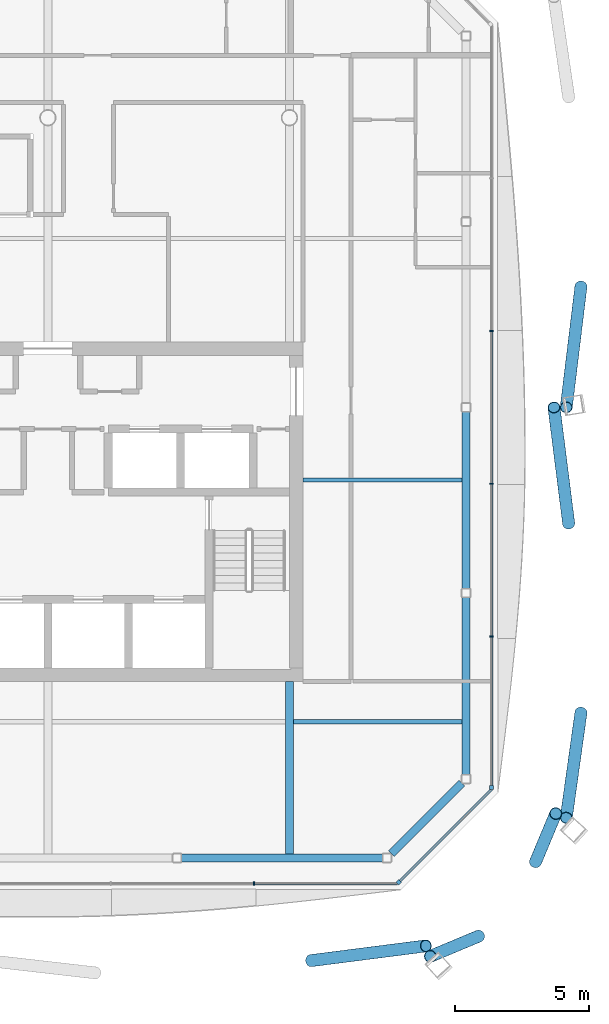
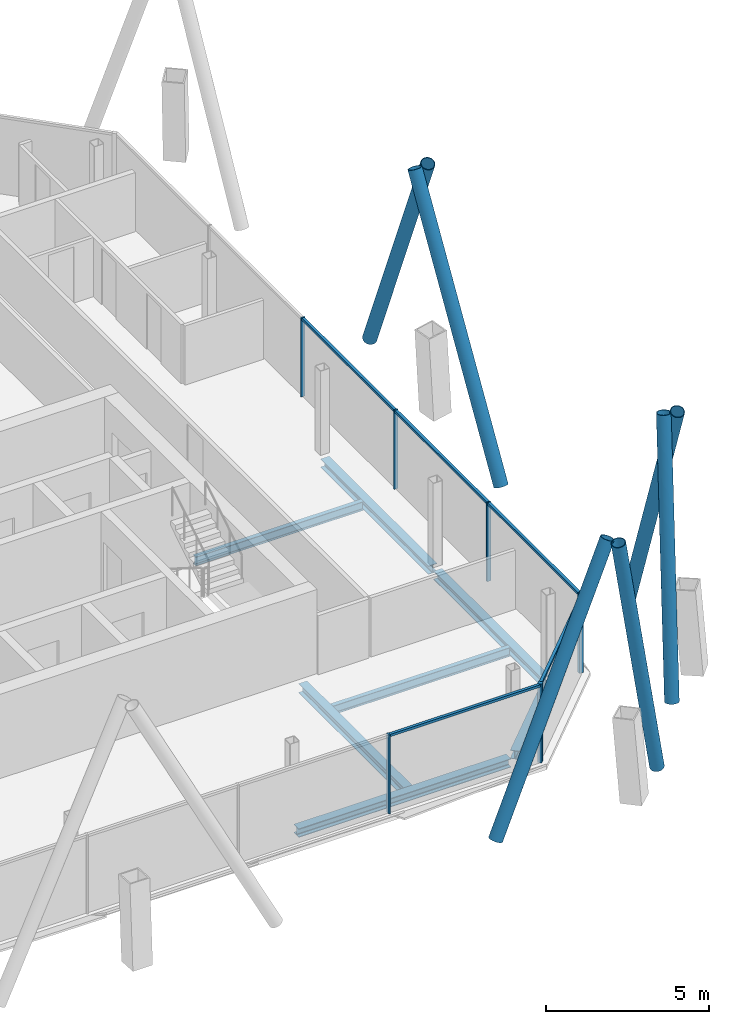
# One storey, part 8 of 20: 17 members, 7 beams, 3 elements without a shape of their own.
"""IFC4 building model written with IfcOpenShell, lengths in metres."""

from ifc_helpers import new_model, si_unit, direction, frame, origin, origin_2d, place, context, subcontext, project, spatial, rectangle, hollow_circle, i_section, extrude, material, material_profile, profile_set, type_object, element, aggregate, save


model = new_model("IFC4")

# Units and contexts
model_context = context("Model", 3, precision=1e-05, world=origin(), true_north=direction((0.0, 1.0)))
body_context = subcontext(model_context, "Body", "Model", "MODEL_VIEW")
ifc_project = project(units=[si_unit("LENGTHUNIT", "METRE"), si_unit("AREAUNIT", "SQUARE_METRE"), si_unit("VOLUMEUNIT", "CUBIC_METRE"), si_unit("PLANEANGLEUNIT", "RADIAN"), si_unit("MASSUNIT", "GRAM", prefix="KILO")], contexts=[model_context])

# Site, building, storey
site_placement = place(None, origin())
site = spatial("IfcSite", under=ifc_project, at=site_placement, CompositionType="ELEMENT")
building_placement = place(site_placement, origin())
building = spatial("IfcBuilding", under=site, at=building_placement, Name="Tskaro Facet Tower", CompositionType="ELEMENT")
storey_placement = place(building_placement, frame((0.0, 0.0, 200.550048828125)))
storey = spatial("IfcBuildingStorey", under=building, at=storey_placement, Name="L51", CompositionType="ELEMENT", Elevation=200.550048828125)

# Members
ifc_material_1 = material(Name="Steel S355J2H", Category="steel")
ifc_material_profile_1 = material_profile(ifc_material_1, hollow_circle(Radius=0.228515625, WallThickness=0.02001953125, at=origin_2d()), Name="CHS 457x20")
ifc_profile_set_1 = profile_set([ifc_material_profile_1], Name="Steel S355J2H")
member_type_1 = type_object("IfcMemberType", Name="CHS 457x20 brace", PredefinedType="BRACE", material=ifc_profile_set_1)
member_1_placement = place(storey_placement, frame((9.81298828125, -22.404296875, 0.0), z_axis=(0.411275595577, 0.05275536964, 0.909983107237), x_axis=(-0.127230108752, 0.991873227498, 0.0)))
element("IfcMember", 1, at=member_1_placement, inside=storey, type_object=member_type_1, Name="CHS 457x20 XB02A/4", PredefinedType="BRACE", context=body_context, shape_type="SweptSolid", body=[
    extrude(hollow_circle(Radius=0.228515625, WallThickness=0.02001953125, at=origin_2d()), origin(), (0.0, 0.0, 1.0), 10.384765625),
])
for number, where, z_axis, x_axis, name in (
    (2, (18.17333984375, -18.720458984375, 0.0), (0.077730756553, 0.186356452478, 0.979402471972), (-0.922932265608, 0.384962378812, 0.0), "CHS 457x20 XB03A/4"),
    (3, (16.04345703125, -21.49658203125, 0.0), (-0.186332028065, -0.07773112306, 0.97940708994), (0.385006906593, -0.922913691455, 0.0), "CHS 457x20 XB03B/4"),
):
    element("IfcMember", number, at=place(storey_placement, frame(where, z_axis=z_axis, x_axis=x_axis)), inside=storey, type_object=member_type_1, Name=name, PredefinedType="BRACE", context=body_context, shape_type="SweptSolid", body=[
        extrude(hollow_circle(Radius=0.228515625, WallThickness=0.02001953125, at=origin_2d()), origin(), (0.0, 0.0, 1.0), 9.648681640625),
    ])
member_2_placement = place(storey_placement, frame((19.404296875, -6.115966796875, 0.0), z_axis=(-0.052646398454, 0.41542325197, 0.908103451404), x_axis=(-0.99206526087, -0.125723976133, 0.0)))
element("IfcMember", 4, at=member_2_placement, inside=storey, type_object=member_type_1, Name="CHS 457x20 XB04A/4", PredefinedType="BRACE", context=body_context, shape_type="SweptSolid", body=[
    extrude(hollow_circle(Radius=0.228515625, WallThickness=0.02001953125, at=origin_2d()), origin(), (0.0, 0.0, 1.0), 10.40625),
])
member_3_placement = place(storey_placement, frame((19.861328125, -13.17138671875, 0.0), z_axis=(-0.053487730814, -0.381993927816, 0.92261568476), x_axis=(0.990338691799, -0.138669663322, 0.0)))
element("IfcMember", 5, at=member_3_placement, inside=storey, type_object=member_type_1, Name="CHS 457x20 XB04B/4", PredefinedType="BRACE", context=body_context, shape_type="SweptSolid", body=[
    extrude(hollow_circle(Radius=0.228515625, WallThickness=0.02001953125, at=origin_2d()), origin(), (0.0, 0.0, 1.0), 10.24267578125),
])
member_4_placement = place(storey_placement, frame((19.861328125, 2.709228515625, 0.0), z_axis=(-0.052266134333, -0.429518619981, 0.90154423424), x_axis=(0.992677554553, -0.12079434046, 0.0)))
element("IfcMember", 6, at=member_4_placement, inside=storey, type_object=member_type_1, Name="CHS 457x20 XB05B/4", PredefinedType="BRACE", context=body_context, shape_type="SweptSolid", body=[
    extrude(hollow_circle(Radius=0.228515625, WallThickness=0.02001953125, at=origin_2d()), origin(), (0.0, 0.0, 1.0), 10.48193359375),
])

# Curtain wall, member
ifc_material_2 = material(Name="Bronze anodised aluminium 6063-T6", Category="aluminium")
curtain_wall_type = type_object("IfcCurtainWallType", Name="Bronze residence curtain wall (FW3)", PredefinedType="NOTDEFINED", material=ifc_material_2)
curtain_wall_1_placement = place(storey_placement, origin())
curtain_wall_1 = element("IfcCurtainWall", 7, at=curtain_wall_1_placement, inside=storey, type_object=curtain_wall_type, Name="FW3 south-east facet L51", PredefinedType="NOTDEFINED")
ifc_material_profile_2 = material_profile(ifc_material_2, rectangle(XDim=0.139892578125, YDim=0.139892578125, at=origin_2d()), Name="Corner post 140x140")
ifc_profile_set_2 = profile_set([ifc_material_profile_2], Name="Bronze anodised aluminium 6063-T6")
member_type_2 = type_object("IfcMemberType", Name="FW3 bronze corner post 140x140", PredefinedType="MULLION", material=ifc_profile_set_2)
member_5_placement = place(storey_placement, frame((13.075439453125, -19.4833984375, 0.0), z_axis=(0.0, 0.0, 1.0), x_axis=(0.707106781187, 0.707106781187, 0.0)))
member_5 = element("IfcMember", 8, at=member_5_placement, type_object=member_type_2, Name="FW3 south-east corner post", PredefinedType="MULLION", context=body_context, shape_type="SweptSolid", body=[
    extrude(rectangle(XDim=0.139892578125, YDim=0.139892578125, at=origin_2d()), origin(), (0.0, 0.0, 1.0), 2.949951171875),
])

curtain_wall_2_placement = place(storey_placement, origin())
curtain_wall_2 = element("IfcCurtainWall", 9, at=curtain_wall_2_placement, inside=storey, type_object=curtain_wall_type, Name="FW3 east facet L51", PredefinedType="NOTDEFINED")
member_6_placement = place(storey_placement, frame((16.532958984375, -15.9560546875, 0.0), z_axis=(0.0, 0.0, 1.0), x_axis=(0.0, 1.0, 0.0)))
member_6 = element("IfcMember", 10, at=member_6_placement, type_object=member_type_2, Name="FW3 east corner post", PredefinedType="MULLION", context=body_context, shape_type="SweptSolid", body=[
    extrude(rectangle(XDim=0.139892578125, YDim=0.139892578125, at=origin_2d()), origin(), (0.0, 0.0, 1.0), 2.949951171875),
])

curtain_wall_3_placement = place(storey_placement, origin())
curtain_wall_3 = element("IfcCurtainWall", 11, at=curtain_wall_3_placement, inside=storey, type_object=curtain_wall_type, Name="FW3 south facet L51", PredefinedType="NOTDEFINED")
ifc_material_profile_3 = material_profile(ifc_material_2, rectangle(XDim=0.050048828125, YDim=0.139892578125, at=origin_2d()), Name="Mullion 50x140")
ifc_profile_set_3 = profile_set([ifc_material_profile_3], Name="Bronze anodised aluminium 6063-T6")
member_type_3 = type_object("IfcMemberType", Name="FW3 bronze mullion 50x140", PredefinedType="MULLION", material=ifc_profile_set_3)
member_7_placement = place(storey_placement, frame((7.68408203125, -19.532958984375, 0.0), z_axis=(0.0, 0.0, 1.0), x_axis=(1.0, 0.0, 0.0)))
member_7 = element("IfcMember", 12, at=member_7_placement, type_object=member_type_3, Name="FW3 south mullion 5", PredefinedType="MULLION", context=body_context, shape_type="SweptSolid", body=[
    extrude(rectangle(XDim=0.050048828125, YDim=0.139892578125, at=origin_2d()), origin(), (0.0, 0.0, 1.0), 2.949951171875),
])

# Member
member_8_placement = place(storey_placement, frame((16.532958984375, -10.3330078125, 0.0), z_axis=(0.0, 0.0, 1.0), x_axis=(0.0, 1.0, 0.0)))
member_8 = element("IfcMember", 13, at=member_8_placement, type_object=member_type_3, Name="FW3 east mullion 1", PredefinedType="MULLION", context=body_context, shape_type="SweptSolid", body=[
    extrude(rectangle(XDim=0.050048828125, YDim=0.139892578125, at=origin_2d()), origin(), (0.0, 0.0, 1.0), 2.949951171875),
])

member_9_placement = place(storey_placement, frame((16.532958984375, -4.639892578125, 0.0), z_axis=(0.0, 0.0, 1.0), x_axis=(0.0, 1.0, 0.0)))
member_9 = element("IfcMember", 14, at=member_9_placement, type_object=member_type_3, Name="FW3 east mullion 2", PredefinedType="MULLION", context=body_context, shape_type="SweptSolid", body=[
    extrude(rectangle(XDim=0.050048828125, YDim=0.139892578125, at=origin_2d()), origin(), (0.0, 0.0, 1.0), 2.949951171875),
])

member_10_placement = place(storey_placement, frame((16.532958984375, 1.052978515625, 0.0), z_axis=(0.0, 0.0, 1.0), x_axis=(0.0, 1.0, 0.0)))
member_10 = element("IfcMember", 15, at=member_10_placement, type_object=member_type_3, Name="FW3 east mullion 3", PredefinedType="MULLION", context=body_context, shape_type="SweptSolid", body=[
    extrude(rectangle(XDim=0.050048828125, YDim=0.139892578125, at=origin_2d()), origin(), (0.0, 0.0, 1.0), 2.949951171875),
])

ifc_material_profile_4 = material_profile(ifc_material_2, rectangle(XDim=0.10009765625, YDim=0.090087890625, at=origin_2d()), Name="Transom 100x90")
ifc_profile_set_4 = profile_set([ifc_material_profile_4], Name="Bronze anodised aluminium 6063-T6")
member_type_4 = type_object("IfcMemberType", Name="FW3 bronze transom 100x90", PredefinedType="USERDEFINED", material=ifc_profile_set_4)
member_11_placement = place(storey_placement, frame((7.708984375, -19.532958984375, 2.905029296875), z_axis=(1.0, 0.0, 0.0), x_axis=(0.0, 1.0, 0.0)))
member_11 = element("IfcMember", 16, at=member_11_placement, type_object=member_type_4, Name="FW3 south transom 6.1", ObjectType="TRANSOM", PredefinedType="USERDEFINED", context=body_context, shape_type="SweptSolid", body=[
    extrude(rectangle(XDim=0.10009765625, YDim=0.090087890625, at=origin_2d()), origin(), (0.0, 0.0, 1.0), 5.31689453125),
])

aggregate(curtain_wall_3, [member_7, member_11])

member_12_placement = place(storey_placement, frame((13.125, -19.43408203125, 2.905029296875), z_axis=(0.707081453652, 0.707132107814, 0.0), x_axis=(-0.707132107814, 0.707081453652, 0.0)))
member_12 = element("IfcMember", 17, at=member_12_placement, type_object=member_type_4, Name="FW3 south-east transom 1.1", ObjectType="TRANSOM", PredefinedType="USERDEFINED", context=body_context, shape_type="SweptSolid", body=[
    extrude(rectangle(XDim=0.10009765625, YDim=0.090087890625, at=origin_2d()), origin(), (0.0, 0.0, 1.0), 4.81982421875),
])

aggregate(curtain_wall_1, [member_5, member_12])

member_13_placement = place(storey_placement, frame((16.532958984375, -15.885986328125, 2.905029296875), z_axis=(0.0, 1.0, 0.0), x_axis=(-1.0, 0.0, 0.0)))
member_13 = element("IfcMember", 18, at=member_13_placement, type_object=member_type_4, Name="FW3 east transom 1.1", ObjectType="TRANSOM", PredefinedType="USERDEFINED", context=body_context, shape_type="SweptSolid", body=[
    extrude(rectangle(XDim=0.10009765625, YDim=0.090087890625, at=origin_2d()), origin(), (0.0, 0.0, 1.0), 5.528076171875),
])

member_14_placement = place(storey_placement, frame((16.532958984375, -10.30810546875, 2.905029296875), z_axis=(0.0, 1.0, 0.0), x_axis=(-1.0, 0.0, 0.0)))
member_14 = element("IfcMember", 19, at=member_14_placement, type_object=member_type_4, Name="FW3 east transom 2.1", ObjectType="TRANSOM", PredefinedType="USERDEFINED", context=body_context, shape_type="SweptSolid", body=[
    extrude(rectangle(XDim=0.10009765625, YDim=0.090087890625, at=origin_2d()), origin(), (0.0, 0.0, 1.0), 5.64306640625),
])

member_15_placement = place(storey_placement, frame((16.532958984375, -4.614990234375, 2.905029296875), z_axis=(0.0, 1.0, 0.0), x_axis=(-1.0, 0.0, 0.0)))
member_15 = element("IfcMember", 20, at=member_15_placement, type_object=member_type_4, Name="FW3 east transom 3.1", ObjectType="TRANSOM", PredefinedType="USERDEFINED", context=body_context, shape_type="SweptSolid", body=[
    extrude(rectangle(XDim=0.10009765625, YDim=0.090087890625, at=origin_2d()), origin(), (0.0, 0.0, 1.0), 5.64306640625),
])

aggregate(curtain_wall_2, [member_6, member_8, member_9, member_10, member_13, member_14, member_15])

# Beams
ifc_material_3 = material(Name="Steel S355J2", Category="steel")
ifc_material_profile_5 = material_profile(ifc_material_3, i_section(OverallWidth=0.300048828125, OverallDepth=0.320068359375, WebThickness=0.011474609375, FlangeThickness=0.0205078125, FilletRadius=0.027099609375, at=origin_2d()), Name="HE 320 B")
ifc_profile_set_5 = profile_set([ifc_material_profile_5], Name="Steel S355J2")
beam_type_1 = type_object("IfcBeamType", Name="HE 320 B ring beam", PredefinedType="BEAM", material=ifc_profile_set_5)
beam_1_placement = place(storey_placement, frame((4.971923828125, -18.5830078125, -0.300048828125), z_axis=(1.0, 0.0, 0.0), x_axis=(0.0, 1.0, 0.0)))
element("IfcBeam", 21, at=beam_1_placement, inside=storey, type_object=beam_type_1, Name="HE 320 B EB4-4", PredefinedType="BEAM", context=body_context, shape_type="SweptSolid", body=[
    extrude(i_section(OverallWidth=0.300048828125, OverallDepth=0.320068359375, WebThickness=0.011474609375, FlangeThickness=0.0205078125, FilletRadius=0.027099609375, at=origin_2d()), origin(), (0.0, 0.0, 1.0), 7.506103515625),
])
beam_2_placement = place(storey_placement, frame((12.7939453125, -18.422119140625, -0.300048828125), z_axis=(0.707106781187, 0.707106781187, 0.0), x_axis=(-0.707106781187, 0.707106781187, 0.0)))
element("IfcBeam", 22, at=beam_2_placement, inside=storey, type_object=beam_type_1, Name="HE 320 B EB5-4", PredefinedType="BEAM", context=body_context, shape_type="SweptSolid", body=[
    extrude(i_section(OverallWidth=0.300048828125, OverallDepth=0.320068359375, WebThickness=0.011474609375, FlangeThickness=0.0205078125, FilletRadius=0.027099609375, at=origin_2d()), origin(), (0.0, 0.0, 1.0), 3.716796875),
])
for number, where, z_axis, x_axis, name in (
    (23, (15.5830078125, -15.47802734375, -0.300048828125), (0.0, 1.0, 0.0), (-1.0, 0.0, 0.0), "HE 320 B EB6-4"),
    (24, (15.5830078125, -8.55810546875, -0.300048828125), (0.0, 1.0, 0.0), (-1.0, 0.0, 0.0), "HE 320 B EB7-4"),
):
    element("IfcBeam", number, at=place(storey_placement, frame(where, z_axis=z_axis, x_axis=x_axis)), inside=storey, type_object=beam_type_1, Name=name, PredefinedType="BEAM", context=body_context, shape_type="SweptSolid", body=[
        extrude(i_section(OverallWidth=0.300048828125, OverallDepth=0.320068359375, WebThickness=0.011474609375, FlangeThickness=0.0205078125, FilletRadius=0.027099609375, at=origin_2d()), origin(), (0.0, 0.0, 1.0), 6.610107421875),
    ])
ifc_material_profile_6 = material_profile(ifc_material_3, i_section(OverallWidth=0.300048828125, OverallDepth=0.35009765625, WebThickness=0.010009765625, FlangeThickness=0.017578125, FilletRadius=0.027099609375, at=origin_2d()), Name="HE 360 A")
ifc_profile_set_6 = profile_set([ifc_material_profile_6], Name="Steel S355J2")
beam_type_2 = type_object("IfcBeamType", Name="HE 360 A girder", PredefinedType="BEAM", material=ifc_profile_set_6)
beam_3_placement = place(storey_placement, frame((9.0, -18.43310546875, -0.31494140625), z_axis=(0.0, 1.0, 0.0), x_axis=(-1.0, 0.0, 0.0)))
element("IfcBeam", 25, at=beam_3_placement, inside=storey, type_object=beam_type_2, Name="HE 360 A GB5-1-4", PredefinedType="BEAM", context=body_context, shape_type="SweptSolid", body=[
    extrude(i_section(OverallWidth=0.300048828125, OverallDepth=0.35009765625, WebThickness=0.010009765625, FlangeThickness=0.017578125, FilletRadius=0.027099609375, at=origin_2d()), origin(), (0.0, 0.0, 1.0), 6.43310546875),
])
ifc_material_profile_7 = material_profile(ifc_material_3, i_section(OverallWidth=0.159912109375, OverallDepth=0.330078125, WebThickness=0.007568359375, FlangeThickness=0.011474609375, FilletRadius=0.01806640625, at=origin_2d()), Name="IPE 330")
ifc_profile_set_7 = profile_set([ifc_material_profile_7], Name="Steel S355J2")
beam_type_3 = type_object("IfcBeamType", Name="IPE 330 secondary beam", PredefinedType="BEAM", material=ifc_profile_set_7)
beam_4_placement = place(storey_placement, frame((9.14990234375, -13.5, -0.304931640625), z_axis=(1.0, 0.0, 0.0), x_axis=(0.0, 1.0, 0.0)))
element("IfcBeam", 26, at=beam_4_placement, inside=storey, type_object=beam_type_3, Name="IPE 330 SB2a-5-4", PredefinedType="BEAM", context=body_context, shape_type="SweptSolid", body=[
    extrude(i_section(OverallWidth=0.159912109375, OverallDepth=0.330078125, WebThickness=0.007568359375, FlangeThickness=0.011474609375, FilletRadius=0.01806640625, at=origin_2d()), origin(), (0.0, 0.0, 1.0), 6.283203125),
])
beam_5_placement = place(storey_placement, frame((9.5, -4.5, -0.304931640625), z_axis=(1.0, 0.0, 0.0), x_axis=(0.0, 1.0, 0.0)))
element("IfcBeam", 27, at=beam_5_placement, inside=storey, type_object=beam_type_3, Name="IPE 330 SB3a-3-4", PredefinedType="BEAM", context=body_context, shape_type="SweptSolid", body=[
    extrude(i_section(OverallWidth=0.159912109375, OverallDepth=0.330078125, WebThickness=0.007568359375, FlangeThickness=0.011474609375, FilletRadius=0.01806640625, at=origin_2d()), origin(), (0.0, 0.0, 1.0), 5.93310546875),
])

save(model, "model.ifc")
